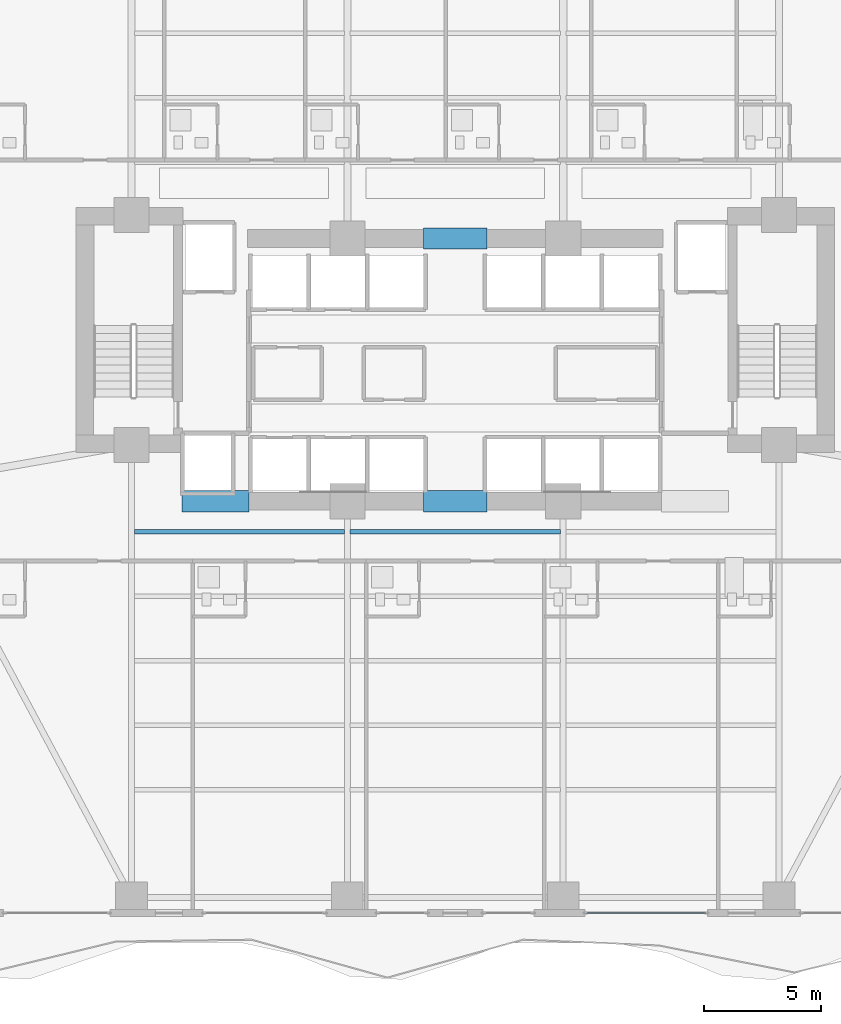
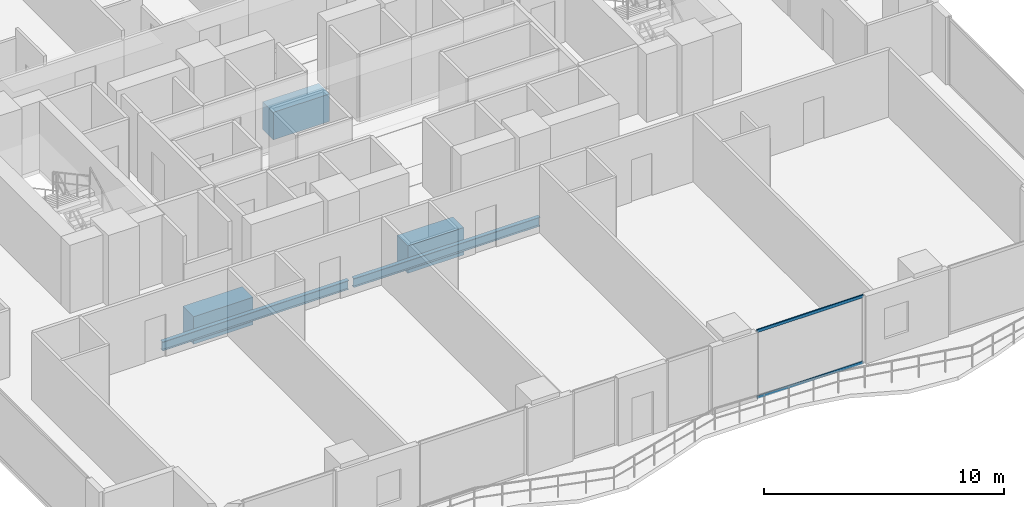
# One storey, part 8 of 27: 5 beams, 2 members, 1 element without a shape of its own.
"""IFC4 building model written with IfcOpenShell, lengths in metres."""

from ifc_helpers import new_model, si_unit, direction, frame, origin, origin_2d, place, context, subcontext, project, spatial, rectangle, hollow_rectangle, i_section, extrude, material, layer, layer_set, material_profile, profile_set, type_object, element, aggregate, save


model = new_model("IFC4")

# Units and contexts
model_context = context("Model", 3, precision=1e-05, world=origin(), true_north=direction((0.0, 1.0)))
body_context = subcontext(model_context, "Body", "Model", "MODEL_VIEW")
ifc_project = project(units=[si_unit("LENGTHUNIT", "METRE"), si_unit("AREAUNIT", "SQUARE_METRE"), si_unit("VOLUMEUNIT", "CUBIC_METRE"), si_unit("PLANEANGLEUNIT", "RADIAN"), si_unit("MASSUNIT", "GRAM", prefix="KILO")], contexts=[model_context])

# Site, building, storey
site_placement = place(None, origin())
site = spatial("IfcSite", under=ifc_project, at=site_placement, CompositionType="ELEMENT")
building_placement = place(site_placement, origin())
building = spatial("IfcBuilding", under=site, at=building_placement, Name="Zuhayl Quay Hotel", CompositionType="ELEMENT")
storey_placement = place(building_placement, frame((0.0, 0.0, 102.949951171875)))
storey = spatial("IfcBuildingStorey", under=building, at=storey_placement, Name="L25", CompositionType="ELEMENT", Elevation=102.949951171875)

# Beams
ifc_material_1 = material(Name="Concrete C60/75", Category="concrete")
ifc_material_profile_1 = material_profile(ifc_material_1, rectangle(XDim=0.89990234375, YDim=1.39990234375, at=origin_2d()), Name="RC900X1400")
ifc_profile_set_1 = profile_set([ifc_material_profile_1], Name="Concrete C60/75")
beam_type_1 = type_object("IfcBeamType", Name="BM_CB1_RC900", PredefinedType="T_BEAM", material=ifc_profile_set_1)
beam_placement = place(storey_placement, frame((-11.64990234375, 2.14990234375, -0.919921875), z_axis=(1.0, 0.0, 0.0), x_axis=(0.0, 1.0, 0.0)))
element("IfcBeam", 1, at=beam_placement, inside=storey, type_object=beam_type_1, Name="L25 Core Coupling Beam SW", PredefinedType="T_BEAM", context=body_context, shape_type="SweptSolid", body=[
    extrude(rectangle(XDim=0.89990234375, YDim=1.39990234375, at=origin_2d()), origin(), (0.0, 0.0, 1.0), 2.849853515625),
])
for number, where, z_axis, x_axis, name in (
    (2, (-1.35009765625, 13.35009765625, -0.919921875), (1.0, 0.0, 0.0), (0.0, 1.0, 0.0), "L25 Core Coupling Beam North"),
    (3, (-1.35009765625, 2.14990234375, -0.919921875), (1.0, 0.0, 0.0), (0.0, 1.0, 0.0), "L25 Core Coupling Beam South"),
):
    element("IfcBeam", number, at=place(storey_placement, frame(where, z_axis=z_axis, x_axis=x_axis)), inside=storey, type_object=beam_type_1, Name=name, PredefinedType="T_BEAM", context=body_context, shape_type="SweptSolid", body=[
        extrude(rectangle(XDim=0.89990234375, YDim=1.39990234375, at=origin_2d()), origin(), (0.0, 0.0, 1.0), 2.7001953125),
    ])
ifc_material_2 = material(Name="Steel ASTM A992 Grade 50", Category="steel")
ifc_material_profile_2 = material_profile(ifc_material_2, i_section(OverallWidth=0.18994140625, OverallDepth=0.45703125, WebThickness=0.009033203125, FlangeThickness=0.014404296875, at=origin_2d()), Name="W18X50")
ifc_profile_set_2 = profile_set([ifc_material_profile_2], Name="Steel ASTM A992 Grade 50")
beam_type_2 = type_object("IfcBeamType", Name="BM_J2_W18X50", PredefinedType="JOIST", material=ifc_profile_set_2)
for number, where, z_axis, x_axis, name in (
    (4, (-13.680908203125, 0.85009765625, -0.448486328125), (1.0, 0.0, 0.0), (0.0, 1.0, 0.0), "L25 Floor Beam FJ_L25_9_1"),
    (5, (-4.48095703125, 0.85009765625, -0.448486328125), (1.0, 0.0, 0.0), (0.0, 1.0, 0.0), "L25 Floor Beam FJ_L25_9_2"),
):
    element("IfcBeam", number, at=place(storey_placement, frame(where, z_axis=z_axis, x_axis=x_axis)), inside=storey, type_object=beam_type_2, Name=name, PredefinedType="JOIST", context=body_context, shape_type="SweptSolid", body=[
        extrude(i_section(OverallWidth=0.18994140625, OverallDepth=0.45703125, WebThickness=0.009033203125, FlangeThickness=0.014404296875, at=origin_2d()), origin(), (0.0, 0.0, 1.0), 8.9619140625),
    ])

# Curtain wall, members
ifc_material_3 = material(Name="Anodised Aluminium 6063-T6", Category="aluminium")
ifc_layer = layer(ifc_material_3, 0.179931640625, Name="Anodised Aluminium 6063-T6", Category="aluminium")
ifc_layer_set = layer_set([ifc_layer], Name="Anodised Aluminium 6063-T6")
curtain_wall_type = type_object("IfcCurtainWallType", Name="CW_SYS_Z2", PredefinedType="USERDEFINED", material=ifc_layer_set)
curtain_wall_placement = place(storey_placement, origin())
curtain_wall = element("IfcCurtainWall", 6, at=curtain_wall_placement, inside=storey, type_object=curtain_wall_type, Name="L25 Curtain Wall ENV_L25_S_CW2", ObjectType="UNITISED CURTAIN WALL", PredefinedType="USERDEFINED")
ifc_material_4 = material(Name="Black-anodised aluminium 6063-T6", Category="aluminium")
ifc_material_profile_3 = material_profile(ifc_material_4, hollow_rectangle(XDim=0.06005859375, YDim=0.14990234375, WallThickness=0.00341796875, at=origin_2d()), Name="ALU150X60")
ifc_profile_set_3 = profile_set([ifc_material_profile_3], Name="Black-anodised aluminium 6063-T6")
member_type = type_object("IfcMemberType", Name="MB_CW_TRN_150", PredefinedType="USERDEFINED", material=ifc_profile_set_3)
member_1_placement = place(storey_placement, frame((10.68505859375, -15.39990234375, 0.030029296875), z_axis=(-1.0, 0.0, 0.0), x_axis=(0.0, -1.0, 0.0)))
member_1 = element("IfcMember", 7, at=member_1_placement, type_object=member_type, Name="CW-Z2 transom 1.1", ObjectType="TRANSOM", PredefinedType="USERDEFINED", context=body_context, shape_type="SweptSolid", body=[
    extrude(hollow_rectangle(XDim=0.06005859375, YDim=0.14990234375, WallThickness=0.00341796875, at=origin_2d()), origin(), (0.0, 0.0, 1.0), 5.10009765625),
])
member_2_placement = place(storey_placement, frame((10.68505859375, -15.39990234375, 3.400146484375), z_axis=(-1.0, 0.0, 0.0), x_axis=(0.0, -1.0, 0.0)))
member_2 = element("IfcMember", 8, at=member_2_placement, type_object=member_type, Name="CW-Z2 transom 1.2", ObjectType="TRANSOM", PredefinedType="USERDEFINED", context=body_context, shape_type="SweptSolid", body=[
    extrude(hollow_rectangle(XDim=0.06005859375, YDim=0.14990234375, WallThickness=0.00341796875, at=origin_2d()), origin(), (0.0, 0.0, 1.0), 5.10009765625),
])
aggregate(curtain_wall, [member_1, member_2])

save(model, "model.ifc")
